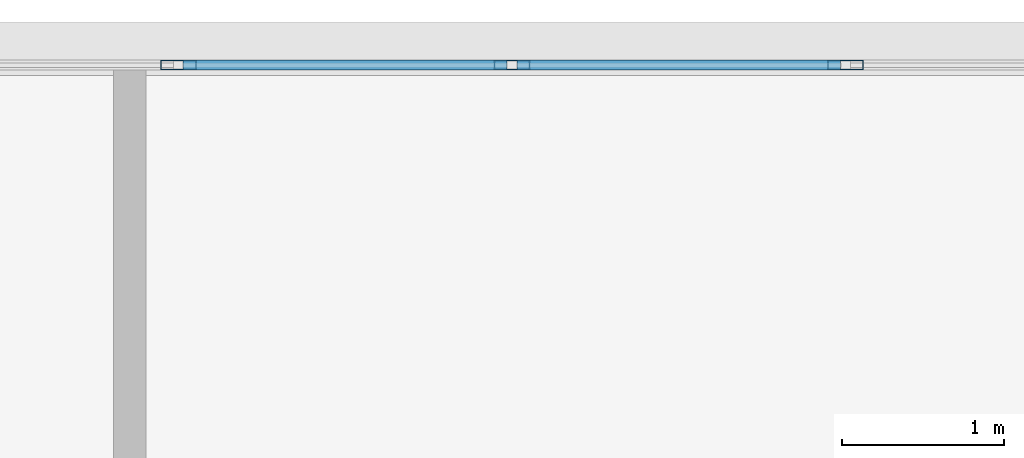
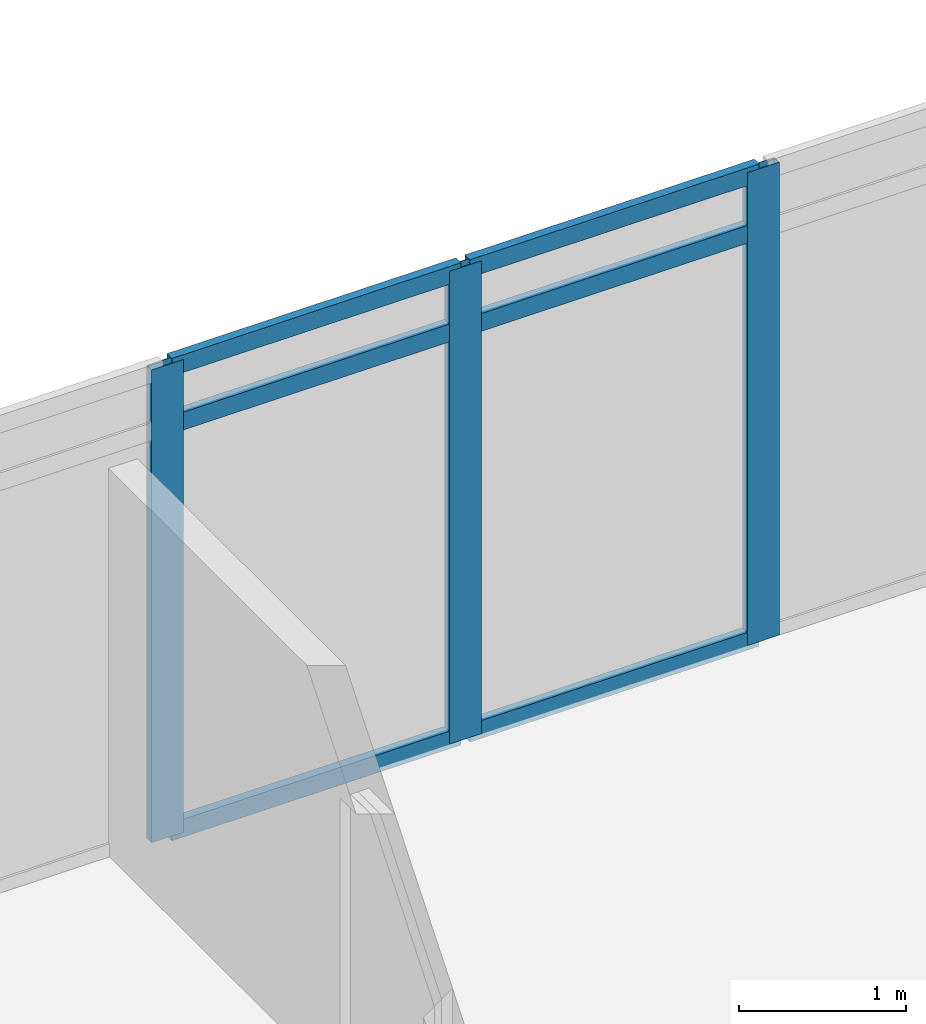
# One storey, part 20 of 37: 9 members, 1 element without a shape of its own.
"""IFC4 building model written with IfcOpenShell, lengths in metres."""

from ifc_helpers import new_model, si_unit, direction, frame, origin, origin_2d, place, context, subcontext, project, spatial, hollow_rectangle, extrude, material, material_profile, profile_set, type_object, element, aggregate, save


model = new_model("IFC4")

# Units and contexts
model_context = context("Model", 3, precision=1e-05, world=origin(), true_north=direction((0.0, 1.0)))
body_context = subcontext(model_context, "Body", "Model", "MODEL_VIEW")
ifc_project = project(units=[si_unit("LENGTHUNIT", "METRE"), si_unit("AREAUNIT", "SQUARE_METRE"), si_unit("VOLUMEUNIT", "CUBIC_METRE"), si_unit("PLANEANGLEUNIT", "RADIAN"), si_unit("MASSUNIT", "GRAM", prefix="KILO")], contexts=[model_context])

# Site, building, storey
site_placement = place(None, origin())
site = spatial("IfcSite", under=ifc_project, at=site_placement, CompositionType="ELEMENT")
building_placement = place(site_placement, origin())
building = spatial("IfcBuilding", under=site, at=building_placement, Name="Ostrander Bayou Hotel Tower", CompositionType="ELEMENT")
storey_placement = place(building_placement, frame((0.0, 0.0, 131.0)))
storey = spatial("IfcBuildingStorey", under=building, at=storey_placement, Name="L32", CompositionType="ELEMENT", Elevation=131.0)

# Curtain wall, members
ifc_material_1 = material(Name="Aluminium and clear glass", Category="aluminium")
curtain_wall_type = type_object("IfcCurtainWallType", Name="CW-BAR glazed wall", PredefinedType="NOTDEFINED", material=ifc_material_1)
curtain_wall_placement = place(storey_placement, origin())
curtain_wall = element("IfcCurtainWall", 1, at=curtain_wall_placement, inside=storey, type_object=curtain_wall_type, Name="CW-BAR L32:SB3N:T", PredefinedType="NOTDEFINED")
ifc_material_2 = material(Name="Aluminium", Category="aluminium")
ifc_material_profile_1 = material_profile(ifc_material_2, hollow_rectangle(XDim=0.06005859375, YDim=0.219970703125, WallThickness=0.00390625, at=origin_2d()))
ifc_profile_set_1 = profile_set([ifc_material_profile_1], Name="Aluminium")
member_type_1 = type_object("IfcMemberType", Name="CW-BR mullion 60 x 220 mm", PredefinedType="MULLION", material=ifc_profile_set_1)
member_1_placement = place(storey_placement, frame((-5.14111328125, 29.037109375, 0.0), z_axis=(0.0, 0.0, 1.0), x_axis=(0.0, 1.0, 0.0)))
member_1 = element("IfcMember", 2, at=member_1_placement, type_object=member_type_1, Name="CW-BAR mullion 5", PredefinedType="MULLION", context=body_context, shape_type="SweptSolid", body=[
    extrude(hollow_rectangle(XDim=0.06005859375, YDim=0.219970703125, WallThickness=0.00390625, at=origin_2d()), origin(), (0.0, 0.0, 1.0), 3.449951171875),
])
member_2_placement = place(storey_placement, frame((-3.084716796875, 29.037109375, 0.0), z_axis=(0.0, 0.0, 1.0), x_axis=(0.0, 1.0, 0.0)))
member_2 = element("IfcMember", 3, at=member_2_placement, type_object=member_type_1, Name="CW-BAR mullion 6", PredefinedType="MULLION", context=body_context, shape_type="SweptSolid", body=[
    extrude(hollow_rectangle(XDim=0.06005859375, YDim=0.219970703125, WallThickness=0.00390625, at=origin_2d()), origin(), (0.0, 0.0, 1.0), 3.449951171875),
])
member_3_placement = place(storey_placement, frame((-1.0283203125, 29.037109375, 0.0), z_axis=(0.0, 0.0, 1.0), x_axis=(0.0, 1.0, 0.0)))
member_3 = element("IfcMember", 4, at=member_3_placement, type_object=member_type_1, Name="CW-BAR mullion 7", PredefinedType="MULLION", context=body_context, shape_type="SweptSolid", body=[
    extrude(hollow_rectangle(XDim=0.06005859375, YDim=0.219970703125, WallThickness=0.00390625, at=origin_2d()), origin(), (0.0, 0.0, 1.0), 3.449951171875),
])
ifc_material_3 = material(Name="Aluminium", Category="aluminium")
ifc_material_profile_2 = material_profile(ifc_material_3, hollow_rectangle(XDim=0.06005859375, YDim=0.1298828125, WallThickness=0.00390625, at=origin_2d()))
ifc_profile_set_2 = profile_set([ifc_material_profile_2], Name="Aluminium")
member_type_2 = type_object("IfcMemberType", Name="CW-BR transom 60 x 130 mm", PredefinedType="USERDEFINED", material=ifc_profile_set_2)
member_4_placement = place(storey_placement, frame((-5.111328125, 29.037109375, 0.030029296875), z_axis=(1.0, 0.0, 0.0), x_axis=(0.0, 1.0, 0.0)))
member_4 = element("IfcMember", 5, at=member_4_placement, type_object=member_type_2, Name="CW-BAR transom 5.1", ObjectType="TRANSOM", PredefinedType="USERDEFINED", context=body_context, shape_type="SweptSolid", body=[
    extrude(hollow_rectangle(XDim=0.06005859375, YDim=0.1298828125, WallThickness=0.00390625, at=origin_2d()), origin(), (0.0, 0.0, 1.0), 1.99658203125),
])
member_5_placement = place(storey_placement, frame((-5.111328125, 29.037109375, 3.0), z_axis=(1.0, 0.0, 0.0), x_axis=(0.0, 1.0, 0.0)))
member_5 = element("IfcMember", 6, at=member_5_placement, type_object=member_type_2, Name="CW-BAR transom 5.2", ObjectType="TRANSOM", PredefinedType="USERDEFINED", context=body_context, shape_type="SweptSolid", body=[
    extrude(hollow_rectangle(XDim=0.06005859375, YDim=0.1298828125, WallThickness=0.00390625, at=origin_2d()), origin(), (0.0, 0.0, 1.0), 1.99658203125),
])
member_6_placement = place(storey_placement, frame((-5.111328125, 29.037109375, 3.419921875), z_axis=(1.0, 0.0, 0.0), x_axis=(0.0, 1.0, 0.0)))
member_6 = element("IfcMember", 7, at=member_6_placement, type_object=member_type_2, Name="CW-BAR transom 5.3", ObjectType="TRANSOM", PredefinedType="USERDEFINED", context=body_context, shape_type="SweptSolid", body=[
    extrude(hollow_rectangle(XDim=0.06005859375, YDim=0.1298828125, WallThickness=0.00390625, at=origin_2d()), origin(), (0.0, 0.0, 1.0), 1.99658203125),
])
member_7_placement = place(storey_placement, frame((-3.0546875, 29.037109375, 0.030029296875), z_axis=(1.0, 0.0, 0.0), x_axis=(0.0, 1.0, 0.0)))
member_7 = element("IfcMember", 8, at=member_7_placement, type_object=member_type_2, Name="CW-BAR transom 6.1", ObjectType="TRANSOM", PredefinedType="USERDEFINED", context=body_context, shape_type="SweptSolid", body=[
    extrude(hollow_rectangle(XDim=0.06005859375, YDim=0.1298828125, WallThickness=0.00390625, at=origin_2d()), origin(), (0.0, 0.0, 1.0), 1.996337890625),
])
member_8_placement = place(storey_placement, frame((-3.0546875, 29.037109375, 3.0), z_axis=(1.0, 0.0, 0.0), x_axis=(0.0, 1.0, 0.0)))
member_8 = element("IfcMember", 9, at=member_8_placement, type_object=member_type_2, Name="CW-BAR transom 6.2", ObjectType="TRANSOM", PredefinedType="USERDEFINED", context=body_context, shape_type="SweptSolid", body=[
    extrude(hollow_rectangle(XDim=0.06005859375, YDim=0.1298828125, WallThickness=0.00390625, at=origin_2d()), origin(), (0.0, 0.0, 1.0), 1.996337890625),
])
member_9_placement = place(storey_placement, frame((-3.0546875, 29.037109375, 3.419921875), z_axis=(1.0, 0.0, 0.0), x_axis=(0.0, 1.0, 0.0)))
member_9 = element("IfcMember", 10, at=member_9_placement, type_object=member_type_2, Name="CW-BAR transom 6.3", ObjectType="TRANSOM", PredefinedType="USERDEFINED", context=body_context, shape_type="SweptSolid", body=[
    extrude(hollow_rectangle(XDim=0.06005859375, YDim=0.1298828125, WallThickness=0.00390625, at=origin_2d()), origin(), (0.0, 0.0, 1.0), 1.996337890625),
])
aggregate(curtain_wall, [member_1, member_2, member_3, member_4, member_5, member_6, member_7, member_8, member_9])

save(model, "model.ifc")
